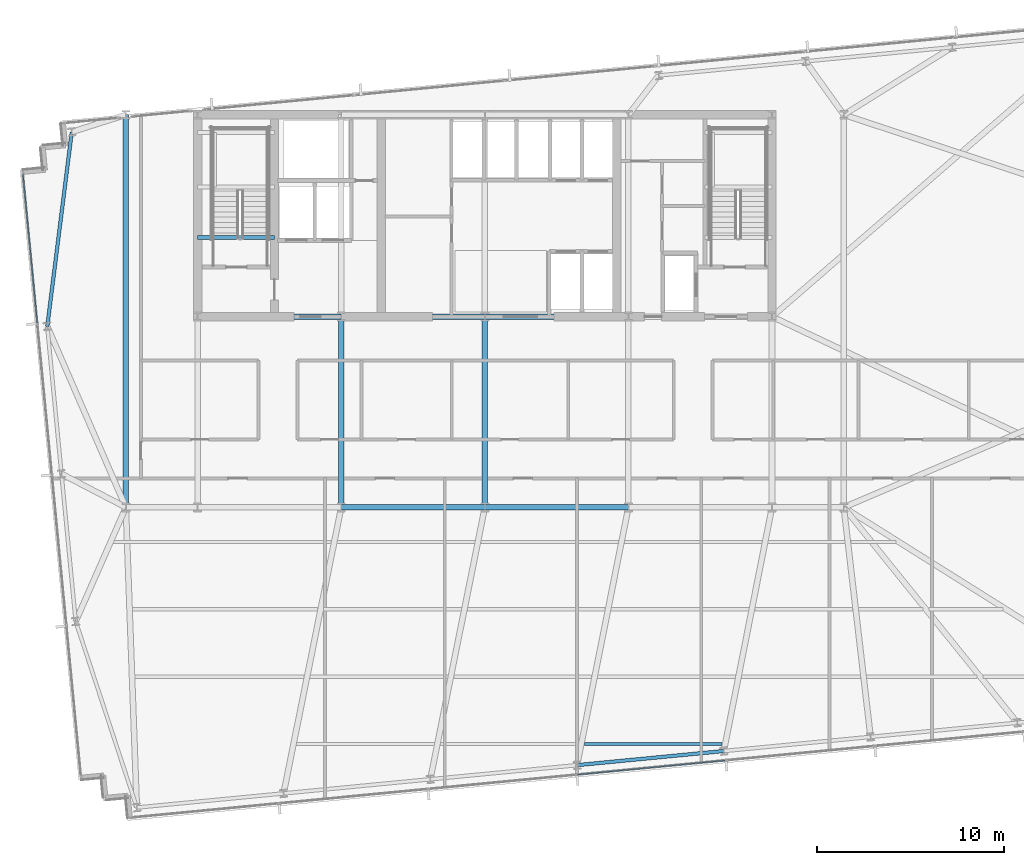
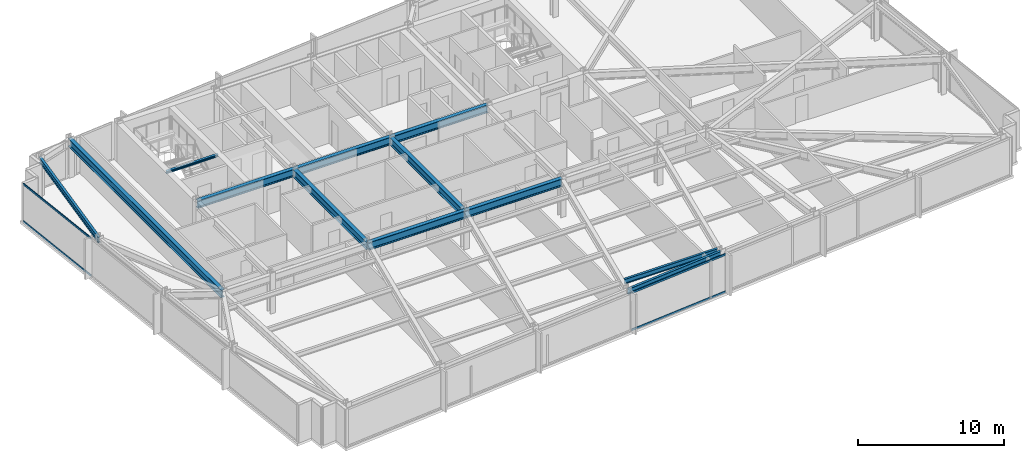
# One storey, part 9 of 33: 12 beams, 4 members, 2 elements without a shape of their own.
"""IFC4 building model written with IfcOpenShell, lengths in metres."""

from ifc_helpers import new_model, si_unit, direction, frame, origin, origin_2d, place, context, subcontext, project, spatial, hollow_rectangle, i_section, extrude, material, material_profile, profile_set, type_object, element, aggregate, save


model = new_model("IFC4")

# Units and contexts
model_context = context("Model", 3, precision=1e-05, world=origin(), true_north=direction((0.0, 1.0)))
body_context = subcontext(model_context, "Body", "Model", "MODEL_VIEW")
ifc_project = project(units=[si_unit("LENGTHUNIT", "METRE"), si_unit("AREAUNIT", "SQUARE_METRE"), si_unit("VOLUMEUNIT", "CUBIC_METRE"), si_unit("PLANEANGLEUNIT", "RADIAN"), si_unit("MASSUNIT", "GRAM", prefix="KILO")], contexts=[model_context])

# Site, building, storey
site_placement = place(None, origin())
site = spatial("IfcSite", under=ifc_project, at=site_placement, CompositionType="ELEMENT")
building_placement = place(site_placement, origin())
building = spatial("IfcBuilding", under=site, at=building_placement, Name="Yelkora Congress Tower", CompositionType="ELEMENT")
storey_placement = place(building_placement, frame((0.0, 0.0, 106.699951171875)))
storey = spatial("IfcBuildingStorey", under=building, at=storey_placement, Name="L28", CompositionType="ELEMENT", Elevation=106.699951171875)

# Beams
ifc_material_1 = material(Name="Steel S355J2", Category="steel")
ifc_material_profile_1 = material_profile(ifc_material_1, i_section(OverallWidth=0.300048828125, OverallDepth=0.64990234375, WebThickness=0.01611328125, FlangeThickness=0.031005859375, FilletRadius=0.027099609375, at=origin_2d()), Name="HEB 650")
ifc_profile_set_1 = profile_set([ifc_material_profile_1], Name="Steel S355J2")
beam_type_1 = type_object("IfcBeamType", Name="BM-GIRD-HEB650", PredefinedType="BEAM", material=ifc_profile_set_1)
beam_1_placement = place(storey_placement, frame((30.719970703125, 25.199951171875, 2.85498046875), z_axis=(1.0, 0.0, 0.0), x_axis=(0.0, 1.0, 0.0)))
element("IfcBeam", 1, at=beam_1_placement, inside=storey, type_object=beam_type_1, Name="L28 Spine Grid D Girder 3", PredefinedType="BEAM", context=body_context, shape_type="SweptSolid", body=[
    extrude(i_section(OverallWidth=0.300048828125, OverallDepth=0.64990234375, WebThickness=0.01611328125, FlangeThickness=0.031005859375, FilletRadius=0.027099609375, at=origin_2d()), origin(), (0.0, 0.0, 1.0), 7.679931640625),
])
beam_2_placement = place(storey_placement, frame((38.39990234375, 25.199951171875, 2.85498046875), z_axis=(1.0, 0.0, 0.0), x_axis=(0.0, 1.0, 0.0)))
element("IfcBeam", 2, at=beam_2_placement, inside=storey, type_object=beam_type_1, Name="L28 Spine Grid D Girder 4", PredefinedType="BEAM", context=body_context, shape_type="SweptSolid", body=[
    extrude(i_section(OverallWidth=0.300048828125, OverallDepth=0.64990234375, WebThickness=0.01611328125, FlangeThickness=0.031005859375, FilletRadius=0.027099609375, at=origin_2d()), origin(), (0.0, 0.0, 1.0), 7.68017578125),
])
for number, where, z_axis, x_axis, name in (
    (3, (23.0400390625, 35.39990234375, 2.85498046875), (1.0, 0.0, 0.0), (0.0, 1.0, 0.0), "L28 Core South Girder 1"),
    (4, (30.719970703125, 35.39990234375, 2.85498046875), (1.0, 0.0, 0.0), (0.0, 1.0, 0.0), "L28 Core South Girder 2"),
):
    element("IfcBeam", number, at=place(storey_placement, frame(where, z_axis=z_axis, x_axis=x_axis)), inside=storey, type_object=beam_type_1, Name=name, PredefinedType="BEAM", context=body_context, shape_type="SweptSolid", body=[
        extrude(i_section(OverallWidth=0.300048828125, OverallDepth=0.64990234375, WebThickness=0.01611328125, FlangeThickness=0.031005859375, FilletRadius=0.027099609375, at=origin_2d()), origin(), (0.0, 0.0, 1.0), 7.679931640625),
    ])
beam_3_placement = place(storey_placement, frame((38.39990234375, 35.39990234375, 2.85498046875), z_axis=(1.0, 0.0, 0.0), x_axis=(0.0, 1.0, 0.0)))
element("IfcBeam", 5, at=beam_3_placement, inside=storey, type_object=beam_type_1, Name="L28 Core South Girder 3", PredefinedType="BEAM", context=body_context, shape_type="SweptSolid", body=[
    extrude(i_section(OverallWidth=0.300048828125, OverallDepth=0.64990234375, WebThickness=0.01611328125, FlangeThickness=0.031005859375, FilletRadius=0.027099609375, at=origin_2d()), origin(), (0.0, 0.0, 1.0), 7.68017578125),
])
for number, where, z_axis, x_axis, name in (
    (6, (30.719970703125, 25.199951171875, 2.85498046875), (0.0, 1.0, 0.0), (-1.0, 0.0, 0.0), "L28 Core Tie Girder MC-D2"),
    (7, (38.39990234375, 25.199951171875, 2.85498046875), (0.0, 1.0, 0.0), (-1.0, 0.0, 0.0), "L28 Core Tie Girder MC-D3"),
):
    element("IfcBeam", number, at=place(storey_placement, frame(where, z_axis=z_axis, x_axis=x_axis)), inside=storey, type_object=beam_type_1, Name=name, PredefinedType="BEAM", context=body_context, shape_type="SweptSolid", body=[
        extrude(i_section(OverallWidth=0.300048828125, OverallDepth=0.64990234375, WebThickness=0.01611328125, FlangeThickness=0.031005859375, FilletRadius=0.027099609375, at=origin_2d()), origin(), (0.0, 0.0, 1.0), 10.199951171875),
    ])
beam_4_placement = place(storey_placement, frame((19.199951171875, 25.199951171875, 2.85498046875), z_axis=(0.0, 1.0, 0.0), x_axis=(-1.0, 0.0, 0.0)))
element("IfcBeam", 8, at=beam_4_placement, inside=storey, type_object=beam_type_1, Name="L28 Neck Flank Girder MC-F1", PredefinedType="BEAM", context=body_context, shape_type="SweptSolid", body=[
    extrude(i_section(OverallWidth=0.300048828125, OverallDepth=0.64990234375, WebThickness=0.01611328125, FlangeThickness=0.031005859375, FilletRadius=0.027099609375, at=origin_2d()), origin(), (0.0, 0.0, 1.0), 21.0),
])
ifc_material_profile_2 = material_profile(ifc_material_1, i_section(OverallWidth=0.179931640625, OverallDepth=0.39990234375, WebThickness=0.008544921875, FlangeThickness=0.013427734375, FilletRadius=0.02099609375, at=origin_2d()), Name="IPE 400")
ifc_profile_set_2 = profile_set([ifc_material_profile_2], Name="Steel S355J2")
beam_type_2 = type_object("IfcBeamType", Name="BM-JOIST-IPE400", PredefinedType="JOIST", material=ifc_profile_set_2)
beam_5_placement = place(storey_placement, frame((43.7197265625, 12.54443359375, 2.97998046875), z_axis=(1.0, 0.0, 0.0), x_axis=(0.0, 1.0, 0.0)))
element("IfcBeam", 9, at=beam_5_placement, inside=storey, type_object=beam_type_2, Name="L28 Composite Floor Joist 3", PredefinedType="JOIST", context=body_context, shape_type="SweptSolid", body=[
    extrude(i_section(OverallWidth=0.179931640625, OverallDepth=0.39990234375, WebThickness=0.008544921875, FlangeThickness=0.013427734375, FilletRadius=0.02099609375, at=origin_2d()), origin(), (0.0, 0.0, 1.0), 7.37841796875),
])
ifc_material_profile_3 = material_profile(ifc_material_1, i_section(OverallWidth=0.199951171875, OverallDepth=0.18994140625, WebThickness=0.006591796875, FlangeThickness=0.010009765625, FilletRadius=0.01806640625, at=origin_2d()), Name="HEA 200")
ifc_profile_set_3 = profile_set([ifc_material_profile_3], Name="Steel S355J2")
beam_type_3 = type_object("IfcBeamType", Name="BM-LAND-HEA200", PredefinedType="BEAM", material=ifc_profile_set_3)
beam_6_placement = place(storey_placement, frame((23.0400390625, 39.639892578125, 2.947509765625), z_axis=(1.0, 0.0, 0.0), x_axis=(0.0, 1.0, 0.0)))
element("IfcBeam", 10, at=beam_6_placement, inside=storey, type_object=beam_type_3, Name="ST-01 L28 Floor Arrival Stringer Header Beam", PredefinedType="BEAM", context=body_context, shape_type="SweptSolid", body=[
    extrude(i_section(OverallWidth=0.199951171875, OverallDepth=0.18994140625, WebThickness=0.006591796875, FlangeThickness=0.010009765625, FilletRadius=0.01806640625, at=origin_2d()), origin(), (0.0, 0.0, 1.0), 4.10986328125),
])
ifc_material_profile_4 = material_profile(ifc_material_1, i_section(OverallWidth=0.18994140625, OverallDepth=0.449951171875, WebThickness=0.009521484375, FlangeThickness=0.0146484375, FilletRadius=0.02099609375, at=origin_2d()), Name="IPE 450")
ifc_profile_set_4 = profile_set([ifc_material_profile_4], Name="Steel S355J2")
beam_type_4 = type_object("IfcBeamType", Name="BM-SPAN-IPE450", PredefinedType="SPANDREL", material=ifc_profile_set_4)
beam_7_placement = place(storey_placement, frame((43.334228515625, 11.411865234375, 2.955078125), z_axis=(0.995398529126, 0.09582154358, 0.0), x_axis=(-0.09582154358, 0.995398529126, 0.0)))
element("IfcBeam", 11, at=beam_7_placement, inside=storey, type_object=beam_type_4, Name="L28 Perimeter Beam 6", PredefinedType="SPANDREL", context=body_context, shape_type="SweptSolid", body=[
    extrude(i_section(OverallWidth=0.18994140625, OverallDepth=0.449951171875, WebThickness=0.009521484375, FlangeThickness=0.0146484375, FilletRadius=0.02099609375, at=origin_2d()), origin(), (0.0, 0.0, 1.0), 7.8857421875),
])
beam_8_placement = place(storey_placement, frame((16.306884765625, 45.27734375, 2.955078125), z_axis=(-0.124952129665, -0.992162771571, 0.0), x_axis=(0.992162771571, -0.124952129665, 0.0)))
element("IfcBeam", 12, at=beam_8_placement, inside=storey, type_object=beam_type_4, Name="L28 Perimeter Beam 18", PredefinedType="SPANDREL", context=body_context, shape_type="SweptSolid", body=[
    extrude(i_section(OverallWidth=0.18994140625, OverallDepth=0.449951171875, WebThickness=0.009521484375, FlangeThickness=0.0146484375, FilletRadius=0.02099609375, at=origin_2d()), origin(), (0.0, 0.0, 1.0), 10.48046875),
])

# Curtain wall, members
ifc_material_2 = material(Name="Anodised aluminium and insulated glass", Category="aluminium")
curtain_wall_type = type_object("IfcCurtainWallType", Name="CW-SYS-B2", PredefinedType="NOTDEFINED", material=ifc_material_2)
curtain_wall_1_placement = place(storey_placement, origin())
curtain_wall_1 = element("IfcCurtainWall", 13, at=curtain_wall_1_placement, inside=storey, type_object=curtain_wall_type, Name="L28 Unitised Curtain Wall 5", PredefinedType="NOTDEFINED")
ifc_material_3 = material(Name="Anodised aluminium 6063-T6", Category="aluminium")
ifc_material_profile_5 = material_profile(ifc_material_3, hollow_rectangle(XDim=0.06494140625, YDim=0.159912109375, WallThickness=0.00390625, at=origin_2d()), Name="ALU 65x160x4")
ifc_profile_set_5 = profile_set([ifc_material_profile_5], Name="Anodised aluminium 6063-T6")
member_type = type_object("IfcMemberType", Name="MEM-TR-B2", PredefinedType="USERDEFINED", material=ifc_profile_set_5)
member_1_placement = place(storey_placement, frame((14.466796875, 35.06884765625, 0.032470703125), z_axis=(-0.095858482834, 0.995394972495, 0.0), x_axis=(-0.995394972495, -0.095858482834, 0.0)))
member_1 = element("IfcMember", 14, at=member_1_placement, type_object=member_type, Name="CW-B2 transom 4.1", ObjectType="TRANSOM", PredefinedType="USERDEFINED", context=body_context, shape_type="SweptSolid", body=[
    extrude(hollow_rectangle(XDim=0.06494140625, YDim=0.159912109375, WallThickness=0.00390625, at=origin_2d()), origin(), (0.0, 0.0, 1.0), 8.025146484375),
])
member_2_placement = place(storey_placement, frame((14.466796875, 35.06884765625, 3.1474609375), z_axis=(-0.095858482834, 0.995394972495, 0.0), x_axis=(-0.995394972495, -0.095858482834, 0.0)))
member_2 = element("IfcMember", 15, at=member_2_placement, type_object=member_type, Name="CW-B2 transom 4.2", ObjectType="TRANSOM", PredefinedType="USERDEFINED", context=body_context, shape_type="SweptSolid", body=[
    extrude(hollow_rectangle(XDim=0.06494140625, YDim=0.159912109375, WallThickness=0.00390625, at=origin_2d()), origin(), (0.0, 0.0, 1.0), 8.025146484375),
])
aggregate(curtain_wall_1, [member_1, member_2])

curtain_wall_2_placement = place(storey_placement, origin())
curtain_wall_2 = element("IfcCurtainWall", 16, at=curtain_wall_2_placement, inside=storey, type_object=curtain_wall_type, Name="L28 Unitised Curtain Wall 20", PredefinedType="NOTDEFINED")
member_3_placement = place(storey_placement, frame((51.255859375, 11.662353515625, 0.032470703125), z_axis=(-0.995394074338, -0.095867808848, 0.0), x_axis=(0.095867808848, -0.995394074338, 0.0)))
member_3 = element("IfcMember", 17, at=member_3_placement, type_object=member_type, Name="CW-B2 transom 4.1", ObjectType="TRANSOM", PredefinedType="USERDEFINED", context=body_context, shape_type="SweptSolid", body=[
    extrude(hollow_rectangle(XDim=0.06494140625, YDim=0.159912109375, WallThickness=0.00390625, at=origin_2d()), origin(), (0.0, 0.0, 1.0), 7.932861328125),
])
member_4_placement = place(storey_placement, frame((51.255859375, 11.662353515625, 3.1474609375), z_axis=(-0.995394074338, -0.095867808848, 0.0), x_axis=(0.095867808848, -0.995394074338, 0.0)))
member_4 = element("IfcMember", 18, at=member_4_placement, type_object=member_type, Name="CW-B2 transom 4.2", ObjectType="TRANSOM", PredefinedType="USERDEFINED", context=body_context, shape_type="SweptSolid", body=[
    extrude(hollow_rectangle(XDim=0.06494140625, YDim=0.159912109375, WallThickness=0.00390625, at=origin_2d()), origin(), (0.0, 0.0, 1.0), 7.932861328125),
])
aggregate(curtain_wall_2, [member_3, member_4])

save(model, "model.ifc")
